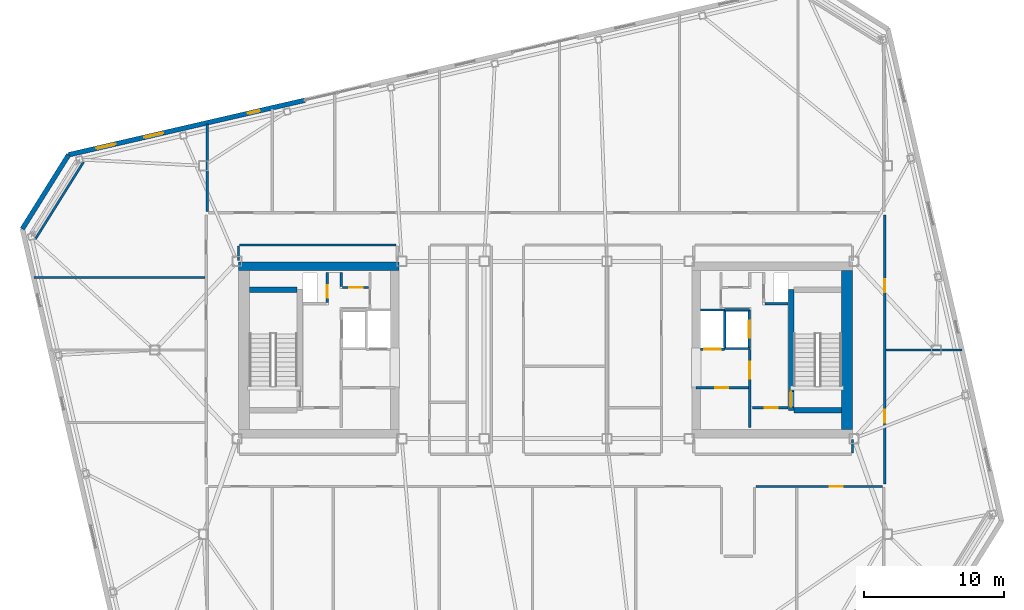
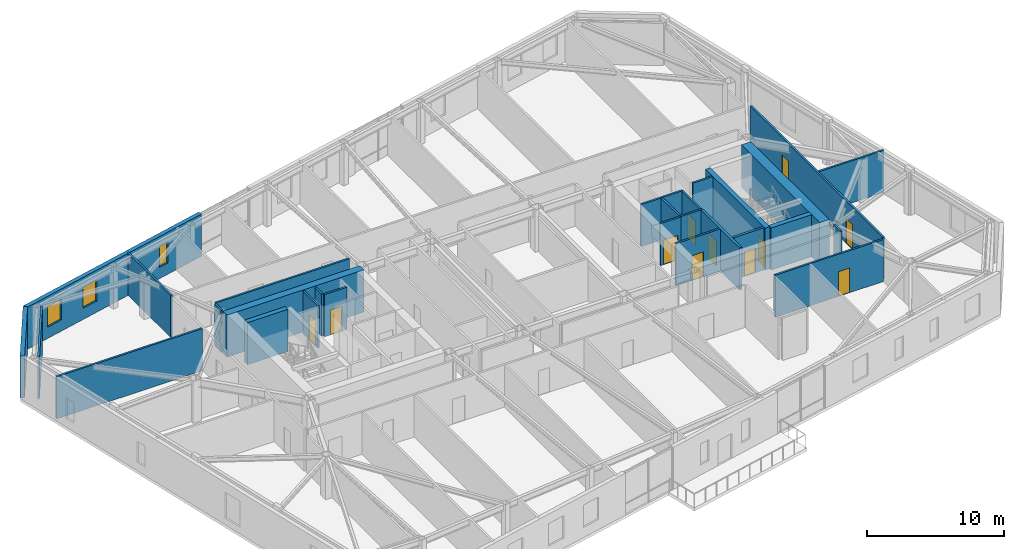
# One storey, part 18 of 24: 29 walls, 11 doors, 3 windows, 14 openings.
"""IFC4 building model written with IfcOpenShell, lengths in metres."""

import ifcopenshell
import ifcopenshell.guid

model = None  # the IFC model being written
_history = None  # IfcOwnerHistory: only IFC2X3 demands one
_inside = {}  # id of a spatial element -> (the spatial element, [elements in it])
_under = {}  # id of a project, library or spatial element -> (it, [spatial elements below it])
_declared = {}  # id of a project -> (the project, [libraries it declares])
_typed = {}  # id of a type object -> (the type object, [elements of that type])
_made_of = {}  # id of a material, layer set ... -> (it, [elements and type objects made of it])


def new_model(schema):
    """Start an empty IFC model of exactly this schema.

    Asked for "IFC4X3", IfcOpenShell would pick the latest addendum, in which some entities
    have other attributes; the version numbers below select the first issue.
    IFC2X3 requires an IfcOwnerHistory on every rooted entity: one is made here for all.
    """
    global model, _history
    if schema == "IFC4X3":
        model = ifcopenshell.file(schema_version=(4, 3, 0, 0))
    else:
        model = ifcopenshell.file(schema=schema)
    _inside.clear()
    _under.clear()
    _declared.clear()
    _typed.clear()
    _made_of.clear()
    _history = None
    if model.schema == "IFC2X3":
        org = make("IfcOrganization", Name="unknown")
        user = make(
            "IfcPersonAndOrganization",
            ThePerson=make("IfcPerson", FamilyName="unknown"),
            TheOrganization=org,
        )
        app = make(
            "IfcApplication",
            ApplicationDeveloper=org,
            Version="unknown",
            ApplicationFullName="unknown",
            ApplicationIdentifier="unknown",
        )
        _history = make(
            "IfcOwnerHistory",
            OwningUser=user,
            OwningApplication=app,
            ChangeAction="ADDED",
            CreationDate=0,
        )
    return model


def make(cls, **values):
    """One entity of the class cls with the attributes given. An attribute that is None is left unset."""
    return model.create_entity(
        cls, **{name: value for name, value in values.items() if value is not None}
    )


def rooted(cls, **values):
    """An entity with a GlobalId (a new one), such as an element, a storey or a relation."""
    return make(cls, GlobalId=ifcopenshell.guid.new(), OwnerHistory=_history, **values)


def si_unit(unit_type, name, prefix=None):
    """IfcSIUnit, for example si_unit("LENGTHUNIT", "METRE", prefix="MILLI")."""
    return make("IfcSIUnit", UnitType=unit_type, Prefix=prefix, Name=name)


def assignment(units):
    """IfcUnitAssignment: the units of a project."""
    return None if units is None else make("IfcUnitAssignment", Units=units)


def point(xyz):
    """IfcCartesianPoint."""
    return None if xyz is None else make("IfcCartesianPoint", Coordinates=xyz)


def direction(xyz):
    """IfcDirection."""
    return None if xyz is None else make("IfcDirection", DirectionRatios=xyz)


def frame(location, z_axis=None, x_axis=None):
    """IfcAxis2Placement3D, a coordinate frame: its origin and axes. An axis left out is left unset."""
    return make(
        "IfcAxis2Placement3D",
        Location=point(location),
        Axis=direction(z_axis),
        RefDirection=direction(x_axis),
    )


def frame_2d(location, x_axis=None):
    """IfcAxis2Placement2D, a coordinate frame in the plane: its origin and x axis."""
    return make(
        "IfcAxis2Placement2D", Location=point(location), RefDirection=direction(x_axis)
    )


def origin():
    """The frame at (0, 0, 0) with its axes left unset."""
    return frame((0.0, 0.0, 0.0))


def place(relative_to, where):
    """IfcLocalPlacement: puts the frame where relative to a parent placement (None: the world)."""
    return make(
        "IfcLocalPlacement", PlacementRelTo=relative_to, RelativePlacement=where
    )


def context(
    kind, dimensions, precision=None, world=None, true_north=None, identifier=None
):
    """IfcGeometricRepresentationContext, for example the 3D "Model" context."""
    return make(
        "IfcGeometricRepresentationContext",
        ContextIdentifier=identifier,
        ContextType=kind,
        CoordinateSpaceDimension=dimensions,
        Precision=precision,
        WorldCoordinateSystem=world,
        TrueNorth=true_north,
    )


def subcontext(parent, identifier, kind, view, scale=None):
    """IfcGeometricRepresentationSubContext, for example "Body" below "Model"."""
    return make(
        "IfcGeometricRepresentationSubContext",
        ContextIdentifier=identifier,
        ContextType=kind,
        ParentContext=parent,
        TargetScale=scale,
        TargetView=view,
    )


def project(units=None, contexts=None):
    """IfcProject with its units and contexts."""
    return rooted(
        "IfcProject",
        Name="project",
        RepresentationContexts=contexts,
        UnitsInContext=assignment(units),
    )


def spatial(cls, under=None, at=None, **own):
    """A site, building, storey or space (cls), placed at a placement, below another one or the project."""
    s = rooted(cls, ObjectPlacement=at, **own)
    if under is not None:
        _under.setdefault(under.id(), (under, []))[1].append(s)
    return s


def profile(cls, at=None, kind="AREA", **sizes):
    """A parametric profile (cls). Its sizes go by their IFC names, for example OverallWidth=200.0."""
    return make(cls, ProfileType=kind, Position=at, **sizes)


def rectangle(**sizes):
    """IfcRectangleProfileDef."""
    return profile("IfcRectangleProfileDef", **sizes)


def extrude(swept, where, along, depth):
    """IfcExtrudedAreaSolid: the profile swept, set in the frame where, extruded along a direction by depth."""
    return make(
        "IfcExtrudedAreaSolid",
        SweptArea=swept,
        Position=where,
        ExtrudedDirection=direction(along),
        Depth=depth,
    )


def shape(context_of_items, identifier, shape_type, items):
    """IfcShapeRepresentation: the items that make up one representation, for example the "Body"."""
    return make(
        "IfcShapeRepresentation",
        ContextOfItems=context_of_items,
        RepresentationIdentifier=identifier,
        RepresentationType=shape_type,
        Items=items,
    )


def material(Name=None, Category=None):
    """IfcMaterial."""
    return make("IfcMaterial", Name=Name, Category=Category)


def layer(
    of_material, thickness, ventilated=None, Name=None, Category=None, Priority=None
):
    """IfcMaterialLayer: one layer of a wall or slab, of a material (None: an air gap)."""
    return make(
        "IfcMaterialLayer",
        Material=of_material,
        LayerThickness=thickness,
        IsVentilated=ventilated,
        Name=Name,
        Category=Category,
        Priority=Priority,
    )


def layer_set(layers, Name=None):
    """IfcMaterialLayerSet."""
    return make("IfcMaterialLayerSet", MaterialLayers=layers, LayerSetName=Name)


def made_of(thing, what):
    """Note that an element or type object is made of a material, layer set ...; save() writes the relation."""
    if what is not None:
        _made_of.setdefault(what.id(), (what, []))[1].append(thing)
    return thing


def type_object(cls, material=None, **own):
    """A type object (cls), such as IfcWallType, which elements share."""
    return made_of(rooted(cls, **own), material)


def element(
    cls,
    number,
    at=None,
    inside=None,
    cuts=None,
    type_object=None,
    material=None,
    context=None,
    identifier="Body",
    shape_type=None,
    held_by="IfcProductDefinitionShape",
    body=None,
    shapes=None,
    **own,
):
    """One element of the class cls, such as IfcWall. Its Tag is "e" and its number.

    at: its placement. inside: the storey or other place that contains it. cuts: it is an
    opening in that element (IfcRelVoidsElement). A single representation is given by context,
    identifier, shape_type and body (its items); several are given by shapes. held_by: the class
    of the entity that holds the representations. save() writes the other relations.
    """
    e = rooted(cls, Tag="e%d" % number, ObjectPlacement=at, **own)
    if body is not None:
        shapes = [shape(context, identifier, shape_type, body)]
    if shapes is not None:
        e.Representation = make(held_by, Representations=shapes)
    if inside is not None:
        _inside.setdefault(inside.id(), (inside, []))[1].append(e)
    if cuts is not None:
        rooted(
            "IfcRelVoidsElement", RelatingBuildingElement=cuts, RelatedOpeningElement=e
        )
    if type_object is not None:
        _typed.setdefault(type_object.id(), (type_object, []))[1].append(e)
    return made_of(e, material)


def fill(opening, filler):
    """IfcRelFillsElement: the door or window that sits in an opening."""
    return rooted(
        "IfcRelFillsElement",
        RelatingOpeningElement=opening,
        RelatedBuildingElement=filler,
    )


def aggregate(whole, parts):
    """IfcRelAggregates: a whole, such as a stair, and the parts it consists of."""
    return rooted("IfcRelAggregates", RelatingObject=whole, RelatedObjects=parts)


def save(model, path):
    """Write the relations noted so far, then the file.

    IfcRelAggregates (storeys below a building ...), IfcRelContainedInSpatialStructure (elements
    in a storey), IfcRelDefinesByType, IfcRelAssociatesMaterial and IfcRelDeclares: one each for
    every whole, place, type object, material and project.
    """
    for whole, parts in _under.values():
        aggregate(whole, parts)
    for where, things in _inside.values():
        rooted(
            "IfcRelContainedInSpatialStructure",
            RelatedElements=things,
            RelatingStructure=where,
        )
    for kind, things in _typed.values():
        rooted("IfcRelDefinesByType", RelatedObjects=things, RelatingType=kind)
    for what, things in _made_of.values():
        rooted("IfcRelAssociatesMaterial", RelatedObjects=things, RelatingMaterial=what)
    for by, libraries in _declared.values():
        rooted("IfcRelDeclares", RelatingContext=by, RelatedDefinitions=libraries)
    model.write(path)


model = new_model("IFC4")

# Units and contexts
model_context = context("Model", 3, precision=1e-05, world=origin(), true_north=direction((0.0, 1.0)))
body_context = subcontext(model_context, "Body", "Model", "MODEL_VIEW")
ifc_project = project(units=[si_unit("LENGTHUNIT", "METRE"), si_unit("AREAUNIT", "SQUARE_METRE"), si_unit("VOLUMEUNIT", "CUBIC_METRE"), si_unit("PLANEANGLEUNIT", "RADIAN"), si_unit("MASSUNIT", "GRAM", prefix="KILO")], contexts=[model_context])

# Site, building, storey
site_placement = place(None, origin())
site = spatial("IfcSite", under=ifc_project, at=site_placement, CompositionType="ELEMENT")
building_placement = place(site_placement, origin())
building = spatial("IfcBuilding", under=site, at=building_placement, Name="Tavrogorsk Clinical Tower", CompositionType="ELEMENT")
storey_placement = place(building_placement, frame((0.0, 0.0, 325.0)))
storey = spatial("IfcBuildingStorey", under=building, at=storey_placement, Name="L76", CompositionType="ELEMENT", Elevation=325.0)

# Wall, opening, door
ifc_material_1 = material(Name="Concrete B60", Category="concrete")
ifc_layer_1 = layer(ifc_material_1, 0.199951171875)
ifc_layer_set_1 = layer_set([ifc_layer_1], Name="Concrete B60")
wall_type_1 = type_object("IfcWallType", Name="CoreFireWall_200", PredefinedType="SOLIDWALL", material=ifc_layer_set_1)
wall_1_placement = place(storey_placement, frame((14.824951171875, -4.139892578125, 0.0), z_axis=(0.0, 0.0, 1.0), x_axis=(1.0, 0.0, 0.0)))
wall_1 = element("IfcWall", 1, at=wall_1_placement, inside=storey, type_object=wall_type_1, Name="L76 Core East South Core Room Fire Wall", PredefinedType="SOLIDWALL", context=body_context, shape_type="SweptSolid", body=[
    extrude(rectangle(XDim=2.554931640625, YDim=0.199951171875, at=frame_2d((1.27734375, 0.0))), origin(), (0.0, 0.0, 1.0), 3.739990234375),
])
opening_1_placement = place(wall_1_placement, frame((0.8798828125, 0.0, 0.0)))
opening_1 = element("IfcOpeningElement", 2, at=opening_1_placement, cuts=wall_1, Name="Opening ID-02", PredefinedType="OPENING", context=body_context, shape_type="SweptSolid", body=[
    extrude(rectangle(XDim=0.949951171875, YDim=2.199951171875, at=frame_2d((0.47509765625, 1.10009765625))), frame((0.0, 0.10986328125, 0.0), z_axis=(0.0, -1.0, 0.0), x_axis=(1.0, 0.0, 0.0)), (0.0, 0.0, 1.0), 0.219970703125),
])
ifc_material_2 = material(Name="Laminated timber leaf on aluminium frame", Category="wood")
door_type_1 = type_object("IfcDoorType", Name="InteriorDoor_ID02_950", OperationType="NOTDEFINED", PredefinedType="DOOR", material=ifc_material_2)
door_1_placement = place(opening_1_placement, origin())
door_1 = element("IfcDoor", 3, at=door_1_placement, inside=storey, type_object=door_type_1, Name="L76 Core East South Core Room Door", OperationType="SINGLE_SWING_RIGHT", OverallHeight=2.199951171875, OverallWidth=0.949951171875, PredefinedType="DOOR", context=body_context, shape_type="SweptSolid", body=[
    extrude(rectangle(XDim=0.949951171875, YDim=2.199951171875, at=frame_2d((0.47509765625, 1.10009765625))), frame((0.0, 0.02490234375, 0.0), z_axis=(0.0, -1.0, 0.0), x_axis=(1.0, 0.0, 0.0)), (0.0, 0.0, 1.0), 0.050048828125),
])
fill(opening_1, door_1)

wall_2_placement = place(storey_placement, frame((14.639892578125, -5.56005859375, 0.0), z_axis=(0.0, 0.0, 1.0), x_axis=(0.0, 1.0, 0.0)))
wall_2 = element("IfcWall", 4, at=wall_2_placement, inside=storey, type_object=wall_type_1, Name="L76 Core East Firefighting Lobby Fire Wall", PredefinedType="SOLIDWALL", context=body_context, shape_type="SweptSolid", body=[
    extrude(rectangle(XDim=5.60009765625, YDim=0.199951171875, at=frame_2d((2.800048828125, 0.0))), origin(), (0.0, 0.0, 1.0), 3.739990234375),
])
opening_2_placement = place(wall_2_placement, frame((3.510009765625, 0.0, 0.0)))
opening_2 = element("IfcOpeningElement", 5, at=opening_2_placement, cuts=wall_2, Name="Opening FD-01", PredefinedType="OPENING", context=body_context, shape_type="SweptSolid", body=[
    extrude(rectangle(XDim=1.199951171875, YDim=2.199951171875, at=frame_2d((0.60009765625, 1.10009765625))), frame((0.0, 0.10986328125, 0.0), z_axis=(0.0, -1.0, 0.0), x_axis=(1.0, 0.0, 0.0)), (0.0, 0.0, 1.0), 0.219970703125),
])
ifc_material_3 = material(Name="Galvanised steel fire-rated door assembly", Category="steel")
door_type_2 = type_object("IfcDoorType", Name="FireDoor_FD01_1200", OperationType="NOTDEFINED", PredefinedType="DOOR", material=ifc_material_3)
door_2_placement = place(opening_2_placement, origin())
door_2 = element("IfcDoor", 6, at=door_2_placement, inside=storey, type_object=door_type_2, Name="L76 Core East Firefighting Lobby Entry Door", OperationType="SINGLE_SWING_RIGHT", OverallHeight=2.199951171875, OverallWidth=1.199951171875, PredefinedType="DOOR", context=body_context, shape_type="SweptSolid", body=[
    extrude(rectangle(XDim=1.199951171875, YDim=2.199951171875, at=frame_2d((0.60009765625, 1.10009765625))), frame((0.0, 0.02490234375, 0.0), z_axis=(0.0, -1.0, 0.0), x_axis=(1.0, 0.0, 0.0)), (0.0, 0.0, 1.0), 0.050048828125),
])
fill(opening_2, door_2)

ifc_material_4 = material(Name="Lightweight concrete blockwork B15", Category="masonry")
ifc_layer_2 = layer(ifc_material_4, 0.159912109375)
ifc_layer_set_2 = layer_set([ifc_layer_2], Name="Lightweight concrete blockwork B15")
wall_type_2 = type_object("IfcWallType", Name="PartitionWall_160", PredefinedType="PARTITIONING", material=ifc_layer_set_2)
wall_3_placement = place(storey_placement, frame((-14.554931640625, 4.47998046875, 0.0), z_axis=(0.0, 0.0, 1.0), x_axis=(1.0, 0.0, 0.0)))
wall_3 = element("IfcWall", 7, at=wall_3_placement, inside=storey, type_object=wall_type_2, Name="L76 Core West Housekeeping South Wall", PredefinedType="PARTITIONING", context=body_context, shape_type="SweptSolid", body=[
    extrude(rectangle(XDim=1.889892578125, YDim=0.159912109375, at=frame_2d((0.94482421875, 0.0))), origin(), (0.0, 0.0, 1.0), 3.739990234375),
])
opening_3_placement = place(wall_3_placement, frame((0.5, 0.0, 0.0)))
opening_3 = element("IfcOpeningElement", 8, at=opening_3_placement, cuts=wall_3, Name="Opening ID-02", PredefinedType="OPENING", context=body_context, shape_type="SweptSolid", body=[
    extrude(rectangle(XDim=0.949951171875, YDim=2.199951171875, at=frame_2d((0.47509765625, 1.10009765625))), frame((0.0, 0.08984375, 0.0), z_axis=(0.0, -1.0, 0.0), x_axis=(1.0, 0.0, 0.0)), (0.0, 0.0, 1.0), 0.179931640625),
])
door_3_placement = place(opening_3_placement, origin())
door_3 = element("IfcDoor", 9, at=door_3_placement, inside=storey, type_object=door_type_1, Name="L76 Core West Housekeeping Closet Door", OperationType="SINGLE_SWING_LEFT", OverallHeight=2.199951171875, OverallWidth=0.949951171875, PredefinedType="DOOR", context=body_context, shape_type="SweptSolid", body=[
    extrude(rectangle(XDim=0.949951171875, YDim=2.199951171875, at=frame_2d((0.47509765625, 1.10009765625))), frame((0.0, 0.02490234375, 0.0), z_axis=(0.0, -1.0, 0.0), x_axis=(1.0, 0.0, 0.0)), (0.0, 0.0, 1.0), 0.050048828125),
])
fill(opening_3, door_3)

# Wall
wall_4_placement = place(storey_placement, frame((-14.639892578125, 4.56494140625, 0.0), z_axis=(0.0, 0.0, 1.0), x_axis=(0.0, 1.0, 0.0)))
element("IfcWall", 10, at=wall_4_placement, inside=storey, type_object=wall_type_2, Name="L76 Core West Housekeeping East Wall", PredefinedType="PARTITIONING", context=body_context, shape_type="SweptSolid", body=[
    extrude(rectangle(XDim=0.9951171875, YDim=0.159912109375, at=frame_2d((0.49755859375, 0.0))), origin(), (0.0, 0.0, 1.0), 3.739990234375),
])

# Wall, opening, door
wall_5_placement = place(storey_placement, frame((10.800048828125, -2.699951171875, 0.0), z_axis=(0.0, 0.0, 1.0), x_axis=(1.0, 0.0, 0.0)))
wall_5 = element("IfcWall", 11, at=wall_5_placement, inside=storey, type_object=wall_type_2, Name="L76 Core East Freed Mid-Bank North Partition", PredefinedType="PARTITIONING", context=body_context, shape_type="SweptSolid", body=[
    extrude(rectangle(XDim=3.73486328125, YDim=0.159912109375, at=frame_2d((1.867431640625, 0.0))), origin(), (0.0, 0.0, 1.0), 3.739990234375),
])
opening_4_placement = place(wall_5_placement, frame((1.35009765625, 0.0, 0.0)))
opening_4 = element("IfcOpeningElement", 12, at=opening_4_placement, cuts=wall_5, Name="Opening ID-02", PredefinedType="OPENING", context=body_context, shape_type="SweptSolid", body=[
    extrude(rectangle(XDim=0.949951171875, YDim=2.199951171875, at=frame_2d((0.47509765625, 1.10009765625))), frame((0.0, 0.08984375, 0.0), z_axis=(0.0, -1.0, 0.0), x_axis=(1.0, 0.0, 0.0)), (0.0, 0.0, 1.0), 0.179931640625),
])
door_4_placement = place(opening_4_placement, origin())
door_4 = element("IfcDoor", 13, at=door_4_placement, inside=storey, type_object=door_type_1, Name="L76 Core East Pharmacy Prep Door", OperationType="SINGLE_SWING_LEFT", OverallHeight=2.199951171875, OverallWidth=0.949951171875, PredefinedType="DOOR", context=body_context, shape_type="SweptSolid", body=[
    extrude(rectangle(XDim=0.949951171875, YDim=2.199951171875, at=frame_2d((0.47509765625, 1.10009765625))), frame((0.0, 0.02490234375, 0.0), z_axis=(0.0, -1.0, 0.0), x_axis=(1.0, 0.0, 0.0)), (0.0, 0.0, 1.0), 0.050048828125),
])
fill(opening_4, door_4)

# Wall
wall_6_placement = place(storey_placement, frame((-33.10009765625, 13.464599609375, 0.0), z_axis=(0.0, 0.0, 1.0), x_axis=(-0.529958457806, -0.848023604035, 0.0)))
element("IfcWall", 14, at=wall_6_placement, inside=storey, type_object=wall_type_2, Name="L76 Corner Exoskeleton Brace Furring Wall 3", PredefinedType="PARTITIONING", context=body_context, shape_type="SweptSolid", body=[
    extrude(rectangle(XDim=6.505126953125, YDim=0.159912109375, at=frame_2d((3.25244140625, 0.0))), origin(), (0.0, 0.0, 1.0), 3.739990234375),
])

# Wall, openings, doors
wall_7_placement = place(storey_placement, frame((24.31005859375, 9.6650390625, 0.0), z_axis=(0.0, 0.0, 1.0), x_axis=(0.0, -1.0, 0.0)))
wall_7 = element("IfcWall", 15, at=wall_7_placement, inside=storey, type_object=wall_type_2, Name="L76 Corridor Partition 03", PredefinedType="PARTITIONING", context=body_context, shape_type="SweptSolid", body=[
    extrude(rectangle(XDim=19.280029296875, YDim=0.159912109375, at=frame_2d((9.64013671875, 0.0))), origin(), (0.0, 0.0, 1.0), 3.739990234375),
])
opening_5_placement = place(wall_7_placement, frame((13.930908203125, 0.0, 0.0)))
opening_5 = element("IfcOpeningElement", 16, at=opening_5_placement, cuts=wall_7, Name="Opening ID-02", PredefinedType="OPENING", context=body_context, shape_type="SweptSolid", body=[
    extrude(rectangle(XDim=0.949951171875, YDim=2.199951171875, at=frame_2d((0.47509765625, 1.10009765625))), frame((0.0, 0.08984375, 0.0), z_axis=(0.0, -1.0, 0.0), x_axis=(1.0, 0.0, 0.0)), (0.0, 0.0, 1.0), 0.179931640625),
])
opening_6_placement = place(wall_7_placement, frame((4.593994140625, 0.0, 0.0)))
opening_6 = element("IfcOpeningElement", 17, at=opening_6_placement, cuts=wall_7, Name="Opening ID-02", PredefinedType="OPENING", context=body_context, shape_type="SweptSolid", body=[
    extrude(rectangle(XDim=0.949951171875, YDim=2.199951171875, at=frame_2d((0.47509765625, 1.10009765625))), frame((0.0, 0.08984375, 0.0), z_axis=(0.0, -1.0, 0.0), x_axis=(1.0, 0.0, 0.0)), (0.0, 0.0, 1.0), 0.179931640625),
])
door_5_placement = place(opening_5_placement, origin())
door_5 = element("IfcDoor", 18, at=door_5_placement, inside=storey, type_object=door_type_1, Name="L76 E Senior Clinician Suite 1 Door", OperationType="SINGLE_SWING_LEFT", OverallHeight=2.199951171875, OverallWidth=0.949951171875, PredefinedType="DOOR", context=body_context, shape_type="SweptSolid", body=[
    extrude(rectangle(XDim=0.949951171875, YDim=2.199951171875, at=frame_2d((0.47509765625, 1.10009765625))), frame((0.0, 0.02490234375, 0.0), z_axis=(0.0, -1.0, 0.0), x_axis=(1.0, 0.0, 0.0)), (0.0, 0.0, 1.0), 0.050048828125),
])
fill(opening_5, door_5)
door_6_placement = place(opening_6_placement, origin())
door_6 = element("IfcDoor", 19, at=door_6_placement, inside=storey, type_object=door_type_1, Name="L76 E Multidisciplinary Seminar Suite 2 Door", OperationType="SINGLE_SWING_RIGHT", OverallHeight=2.199951171875, OverallWidth=0.949951171875, PredefinedType="DOOR", context=body_context, shape_type="SweptSolid", body=[
    extrude(rectangle(XDim=0.949951171875, YDim=2.199951171875, at=frame_2d((0.47509765625, 1.10009765625))), frame((0.0, 0.02490234375, 0.0), z_axis=(0.0, -1.0, 0.0), x_axis=(1.0, 0.0, 0.0)), (0.0, 0.0, 1.0), 0.050048828125),
])
fill(opening_6, door_6)

# Wall, opening, door
wall_8_placement = place(storey_placement, frame((24.14501953125, -9.780029296875, 0.0), z_axis=(0.0, 0.0, 1.0), x_axis=(-1.0, 0.0, 0.0)))
wall_8 = element("IfcWall", 20, at=wall_8_placement, inside=storey, type_object=wall_type_2, Name="L76 Corridor Partition 04", PredefinedType="PARTITIONING", context=body_context, shape_type="SweptSolid", body=[
    extrude(rectangle(XDim=9.080078125, YDim=0.159912109375, at=frame_2d((4.5400390625, 0.0))), origin(), (0.0, 0.0, 1.0), 3.739990234375),
])
opening_7_placement = place(wall_8_placement, frame((2.833984375, 0.0, 0.0)))
opening_7 = element("IfcOpeningElement", 21, at=opening_7_placement, cuts=wall_8, Name="Opening ID-02", PredefinedType="OPENING", context=body_context, shape_type="SweptSolid", body=[
    extrude(rectangle(XDim=0.949951171875, YDim=2.199951171875, at=frame_2d((0.47509765625, 1.10009765625))), frame((0.0, 0.08984375, 0.0), z_axis=(0.0, -1.0, 0.0), x_axis=(1.0, 0.0, 0.0)), (0.0, 0.0, 1.0), 0.179931640625),
])
door_7_placement = place(opening_7_placement, origin())
door_7 = element("IfcDoor", 22, at=door_7_placement, inside=storey, type_object=door_type_1, Name="L76 South Soiled Utility & Sluice Room 06 Door", OperationType="SINGLE_SWING_RIGHT", OverallHeight=2.199951171875, OverallWidth=0.949951171875, PredefinedType="DOOR", context=body_context, shape_type="SweptSolid", body=[
    extrude(rectangle(XDim=0.949951171875, YDim=2.199951171875, at=frame_2d((0.47509765625, 1.10009765625))), frame((0.0, 0.02490234375, 0.0), z_axis=(0.0, -1.0, 0.0), x_axis=(1.0, 0.0, 0.0)), (0.0, 0.0, 1.0), 0.050048828125),
])
fill(opening_7, door_7)

# Walls
wall_9_placement = place(storey_placement, frame((22.0, -7.385009765625, 0.0), z_axis=(0.0, 0.0, 1.0), x_axis=(0.0, 1.0, 0.0)))
element("IfcWall", 23, at=wall_9_placement, inside=storey, type_object=wall_type_2, Name="L76 Corridor Partition 13", PredefinedType="PARTITIONING", context=body_context, shape_type="SweptSolid", body=[
    extrude(rectangle(XDim=0.965087890625, YDim=0.159912109375, at=frame_2d((0.482421875, 0.0))), origin(), (0.0, 0.0, 1.0), 3.739990234375),
])
wall_10_placement = place(storey_placement, frame((-10.715087890625, 7.52001953125, 0.0), z_axis=(0.0, 0.0, 1.0), x_axis=(-1.0, 0.0, 0.0)))
element("IfcWall", 24, at=wall_10_placement, inside=storey, type_object=wall_type_2, Name="L76 Corridor Partition 25", PredefinedType="PARTITIONING", context=body_context, shape_type="SweptSolid", body=[
    extrude(rectangle(XDim=11.199951171875, YDim=0.159912109375, at=frame_2d((5.60009765625, 0.0))), origin(), (0.0, 0.0, 1.0), 3.739990234375),
])
wall_11_placement = place(storey_placement, frame((-22.0, 7.43505859375, 0.0), z_axis=(0.0, 0.0, 1.0), x_axis=(0.0, -1.0, 0.0)))
element("IfcWall", 25, at=wall_11_placement, inside=storey, type_object=wall_type_2, Name="L76 Corridor Partition 26", PredefinedType="PARTITIONING", context=body_context, shape_type="SweptSolid", body=[
    extrude(rectangle(XDim=1.01513671875, YDim=0.159912109375, at=frame_2d((0.507568359375, 0.0))), origin(), (0.0, 0.0, 1.0), 3.739990234375),
])
wall_12_placement = place(storey_placement, frame((-24.22998046875, 9.9150390625, 0.0), z_axis=(0.0, 0.0, 1.0), x_axis=(0.0, 1.0, 0.0)))
element("IfcWall", 26, at=wall_12_placement, inside=storey, type_object=wall_type_2, Name="L76 NW Wing Closure Partition", PredefinedType="PARTITIONING", context=body_context, shape_type="SweptSolid", body=[
    extrude(rectangle(XDim=6.2958984375, YDim=0.159912109375, at=frame_2d((3.14794921875, 0.0))), origin(), (0.0, 0.0, 1.0), 3.739990234375),
])
wall_13_placement = place(storey_placement, frame((-36.662841796875, 5.199951171875, 0.0), z_axis=(0.0, 0.0, 1.0), x_axis=(1.0, 0.0, 0.0)))
element("IfcWall", 27, at=wall_13_placement, inside=storey, type_object=wall_type_2, Name="L76 W Wing Divider 3", PredefinedType="PARTITIONING", context=body_context, shape_type="SweptSolid", body=[
    extrude(rectangle(XDim=12.267822265625, YDim=0.159912109375, at=frame_2d((6.1337890625, 0.0))), origin(), (0.0, 0.0, 1.0), 3.739990234375),
])
wall_14_placement = place(storey_placement, frame((24.39501953125, 0.0, 0.0), z_axis=(0.0, 0.0, 1.0), x_axis=(1.0, 0.0, 0.0)))
element("IfcWall", 28, at=wall_14_placement, inside=storey, type_object=wall_type_2, Name="L76 E Wing Divider 1", PredefinedType="PARTITIONING", context=body_context, shape_type="SweptSolid", body=[
    extrude(rectangle(XDim=5.436279296875, YDim=0.159912109375, at=frame_2d((2.71826171875, 0.0))), origin(), (0.0, 0.0, 1.0), 3.739990234375),
])

# Wall, openings, windows
ifc_material_5 = material(Name="Precast concrete B45 with limestone cladding", Category="masonry")
ifc_layer_3 = layer(ifc_material_5, 0.340087890625)
ifc_layer_set_3 = layer_set([ifc_layer_3], Name="Precast concrete B45 with limestone cladding")
wall_type_3 = type_object("IfcWallType", Name="PrecastLimestoneWall_340", PredefinedType="STANDARD", material=ifc_layer_set_3)
wall_15_placement = place(storey_placement, frame((-17.2451171875, 17.895263671875, 0.0), z_axis=(0.0, 0.0, 1.0), x_axis=(-0.97437318493, -0.224937539085, 0.0)))
wall_15 = element("IfcWall", 29, at=wall_15_placement, inside=storey, type_object=wall_type_3, Name="L76 N Limestone Facade Wall 3", PredefinedType="STANDARD", context=body_context, shape_type="SweptSolid", body=[
    extrude(rectangle(XDim=17.365966796875, YDim=0.340087890625, at=frame_2d((8.68310546875, 0.0))), origin(), (0.0, 0.0, 1.0), 3.739990234375),
])
opening_8_placement = place(wall_15_placement, frame((13.924560546875, 0.0, 1.0)))
opening_8 = element("IfcOpeningElement", 30, at=opening_8_placement, cuts=wall_15, Name="Opening WN-17", PredefinedType="OPENING", context=body_context, shape_type="SweptSolid", body=[
    extrude(rectangle(XDim=1.39990234375, YDim=1.85009765625, at=frame_2d((0.699951171875, 0.925048828125))), frame((0.0, 0.179931640625, 0.0), z_axis=(0.0, -1.0, 0.0), x_axis=(1.0, 0.0, 0.0)), (0.0, 0.0, 1.0), 0.360107421875),
])
opening_9_placement = place(wall_15_placement, frame((10.412841796875, 0.0, 1.0)))
opening_9 = element("IfcOpeningElement", 31, at=opening_9_placement, cuts=wall_15, Name="Opening WN-17", PredefinedType="OPENING", context=body_context, shape_type="SweptSolid", body=[
    extrude(rectangle(XDim=1.39990234375, YDim=1.85009765625, at=frame_2d((0.699951171875, 0.925048828125))), frame((0.0, 0.179931640625, 0.0), z_axis=(0.0, -1.0, 0.0), x_axis=(1.0, 0.0, 0.0)), (0.0, 0.0, 1.0), 0.360107421875),
])
opening_10_placement = place(wall_15_placement, frame((3.32861328125, 0.0, 1.0)))
opening_10 = element("IfcOpeningElement", 32, at=opening_10_placement, cuts=wall_15, Name="Opening WN-06", PredefinedType="OPENING", context=body_context, shape_type="SweptSolid", body=[
    extrude(rectangle(XDim=0.85009765625, YDim=1.85009765625, at=frame_2d((0.425048828125, 0.925048828125))), frame((0.0, 0.179931640625, 0.0), z_axis=(0.0, -1.0, 0.0), x_axis=(1.0, 0.0, 0.0)), (0.0, 0.0, 1.0), 0.360107421875),
])
ifc_material_6 = material(Name="Thermally broken aluminium frame and triple IGU", Category="aluminium")
window_type_1 = type_object("IfcWindowType", Name="MullionSubWin_850x1850", PartitioningType="SINGLE_PANEL", PredefinedType="WINDOW", material=ifc_material_6)
window_1_placement = place(opening_10_placement, origin())
window_1 = element("IfcWindow", 33, at=window_1_placement, inside=storey, type_object=window_type_1, Name="L76 N Mullion Split Window 04B", OverallHeight=1.85009765625, OverallWidth=0.85009765625, PartitioningType="SINGLE_PANEL", PredefinedType="WINDOW", context=body_context, shape_type="SweptSolid", body=[
    extrude(rectangle(XDim=0.85009765625, YDim=1.85009765625, at=frame_2d((0.425048828125, 0.925048828125))), frame((0.0, 0.030029296875, 0.0), z_axis=(0.0, -1.0, 0.0), x_axis=(1.0, 0.0, 0.0)), (0.0, 0.0, 1.0), 0.06005859375),
])
fill(opening_10, window_1)
ifc_material_7 = material(Name="Thermally broken aluminium frame and triple IGU", Category="aluminium")
window_type_2 = type_object("IfcWindowType", Name="TelemetryWin_1400x1850", PartitioningType="SINGLE_PANEL", PredefinedType="WINDOW", material=ifc_material_7)
window_2_placement = place(opening_8_placement, origin())
window_2 = element("IfcWindow", 34, at=window_2_placement, inside=storey, type_object=window_type_2, Name="L76 N Chicago Window 01", OverallHeight=1.85009765625, OverallWidth=1.39990234375, PartitioningType="SINGLE_PANEL", PredefinedType="WINDOW", context=body_context, shape_type="SweptSolid", body=[
    extrude(rectangle(XDim=1.39990234375, YDim=1.85009765625, at=frame_2d((0.699951171875, 0.925048828125))), frame((0.0, 0.030029296875, 0.0), z_axis=(0.0, -1.0, 0.0), x_axis=(1.0, 0.0, 0.0)), (0.0, 0.0, 1.0), 0.06005859375),
])
fill(opening_8, window_2)
window_3_placement = place(opening_9_placement, origin())
window_3 = element("IfcWindow", 35, at=window_3_placement, inside=storey, type_object=window_type_2, Name="L76 N Chicago Window 02", OverallHeight=1.85009765625, OverallWidth=1.39990234375, PartitioningType="SINGLE_PANEL", PredefinedType="WINDOW", context=body_context, shape_type="SweptSolid", body=[
    extrude(rectangle(XDim=1.39990234375, YDim=1.85009765625, at=frame_2d((0.699951171875, 0.925048828125))), frame((0.0, 0.030029296875, 0.0), z_axis=(0.0, -1.0, 0.0), x_axis=(1.0, 0.0, 0.0)), (0.0, 0.0, 1.0), 0.06005859375),
])
fill(opening_9, window_3)

# Wall
wall_16_placement = place(storey_placement, frame((-34.165771484375, 13.989013671875, 0.0), z_axis=(0.0, 0.0, 1.0), x_axis=(-0.529935887993, -0.848037708252, 0.0)))
element("IfcWall", 36, at=wall_16_placement, inside=storey, type_object=wall_type_3, Name="L76 Chamfered Corner Wall 3", PredefinedType="STANDARD", context=body_context, shape_type="SweptSolid", body=[
    extrude(rectangle(XDim=6.26513671875, YDim=0.340087890625, at=frame_2d((3.132568359375, 0.0))), origin(), (0.0, 0.0, 1.0), 3.739990234375),
])

# Wall, opening, door
ifc_material_8 = material(Name="Lightweight concrete blockwork B25", Category="masonry")
ifc_layer_4 = layer(ifc_material_8, 0.159912109375)
ifc_layer_set_4 = layer_set([ifc_layer_4], Name="Lightweight concrete blockwork B25")
wall_type_4 = type_object("IfcWallType", Name="ShaftWall_160", PredefinedType="PARTITIONING", material=ifc_layer_set_4)
wall_17_placement = place(storey_placement, frame((14.60009765625, 0.1201171875, 0.0), z_axis=(0.0, 0.0, 1.0), x_axis=(0.0, 1.0, 0.0)))
wall_17 = element("IfcWall", 37, at=wall_17_placement, inside=storey, type_object=wall_type_4, Name="L76 FFL-E Firefighting Lift Front Wall", PredefinedType="PARTITIONING", context=body_context, shape_type="SweptSolid", body=[
    extrude(rectangle(XDim=2.739990234375, YDim=0.159912109375, at=frame_2d((1.3701171875, 0.0))), origin(), (0.0, 0.0, 1.0), 3.739990234375),
])
opening_11_placement = place(wall_17_placement, frame((0.77001953125, 0.0, 0.0)))
opening_11 = element("IfcOpeningElement", 38, at=opening_11_placement, cuts=wall_17, Name="Opening LD", PredefinedType="OPENING", context=body_context, shape_type="SweptSolid", body=[
    extrude(rectangle(XDim=1.199951171875, YDim=2.199951171875, at=frame_2d((0.60009765625, 1.10009765625))), frame((0.0, 0.08984375, 0.0), z_axis=(0.0, -1.0, 0.0), x_axis=(1.0, 0.0, 0.0)), (0.0, 0.0, 1.0), 0.179931640625),
])
ifc_material_9 = material(Name="Brushed stainless steel AISI 304 sliding doors", Category="steel")
door_type_3 = type_object("IfcDoorType", Name="LiftLandingDoor_LD_1200", OperationType="SLIDING_TO_LEFT", PredefinedType="DOOR", material=ifc_material_9)
door_8_placement = place(opening_11_placement, origin())
door_8 = element("IfcDoor", 39, at=door_8_placement, inside=storey, type_object=door_type_3, Name="L76 FFL-E Sliding Lift Landing Door", OperationType="SLIDING_TO_LEFT", OverallHeight=2.199951171875, OverallWidth=1.199951171875, PredefinedType="DOOR", context=body_context, shape_type="SweptSolid", body=[
    extrude(rectangle(XDim=1.199951171875, YDim=2.199951171875, at=frame_2d((0.60009765625, 1.10009765625))), frame((0.0, 0.02490234375, 0.0), z_axis=(0.0, -1.0, 0.0), x_axis=(1.0, 0.0, 0.0)), (0.0, 0.0, 1.0), 0.050048828125),
])
fill(opening_11, door_8)

# Walls
for number, where, z_axis, x_axis, name in (
    (40, (12.840087890625, 0.10009765625, 0.0), (0.0, 0.0, 1.0), (1.0, 0.0, 0.0), "L76 FFL-E Shaft South Wall"),
    (41, (12.840087890625, 2.8798828125, 0.0), (0.0, 0.0, 1.0), (1.0, 0.0, 0.0), "L76 FFL-E Shaft North Wall"),
):
    element("IfcWall", number, at=place(storey_placement, frame(where, z_axis=z_axis, x_axis=x_axis)), inside=storey, type_object=wall_type_4, Name=name, PredefinedType="PARTITIONING", context=body_context, shape_type="SweptSolid", body=[
        extrude(rectangle(XDim=1.760009765625, YDim=0.159912109375, at=frame_2d((0.8798828125, 0.0))), origin(), (0.0, 0.0, 1.0), 3.739990234375),
    ])
wall_18_placement = place(storey_placement, frame((12.840087890625, 0.179931640625, 0.0), z_axis=(0.0, 0.0, 1.0), x_axis=(0.0, 1.0, 0.0)))
element("IfcWall", 42, at=wall_18_placement, inside=storey, type_object=wall_type_4, Name="L76 FFL-E Shaft Back Wall", PredefinedType="PARTITIONING", context=body_context, shape_type="SweptSolid", body=[
    extrude(rectangle(XDim=2.6201171875, YDim=0.159912109375, at=frame_2d((1.31005859375, 0.0))), origin(), (0.0, 0.0, 1.0), 3.739990234375),
])

# Wall, opening, door
wall_19_placement = place(storey_placement, frame((11.10009765625, 0.06005859375, 0.0), z_axis=(0.0, 0.0, 1.0), x_axis=(1.0, 0.0, 0.0)))
wall_19 = element("IfcWall", 43, at=wall_19_placement, inside=storey, type_object=wall_type_4, Name="L76 LP-H2 High-Zone Lift Portal Wall", PredefinedType="PARTITIONING", context=body_context, shape_type="SweptSolid", body=[
    extrude(rectangle(XDim=1.719970703125, YDim=0.159912109375, at=frame_2d((0.85986328125, 0.0))), origin(), (0.0, 0.0, 1.0), 3.739990234375),
])
opening_12_placement = place(wall_19_placement, frame((0.260009765625, 0.0, 0.0)))
opening_12 = element("IfcOpeningElement", 44, at=opening_12_placement, cuts=wall_19, Name="Opening LD", PredefinedType="OPENING", context=body_context, shape_type="SweptSolid", body=[
    extrude(rectangle(XDim=1.199951171875, YDim=2.199951171875, at=frame_2d((0.60009765625, 1.10009765625))), frame((0.0, 0.08984375, 0.0), z_axis=(0.0, -1.0, 0.0), x_axis=(1.0, 0.0, 0.0)), (0.0, 0.0, 1.0), 0.179931640625),
])
door_9_placement = place(opening_12_placement, origin())
door_9 = element("IfcDoor", 45, at=door_9_placement, inside=storey, type_object=door_type_3, Name="L76 LP-H2 Sliding Lift Landing Door", OperationType="SLIDING_TO_LEFT", OverallHeight=2.199951171875, OverallWidth=1.199951171875, PredefinedType="DOOR", context=body_context, shape_type="SweptSolid", body=[
    extrude(rectangle(XDim=1.199951171875, YDim=2.199951171875, at=frame_2d((0.60009765625, 1.10009765625))), frame((0.0, 0.02490234375, 0.0), z_axis=(0.0, -1.0, 0.0), x_axis=(1.0, 0.0, 0.0)), (0.0, 0.0, 1.0), 0.050048828125),
])
fill(opening_12, door_9)

# Wall
wall_20_placement = place(storey_placement, frame((11.10009765625, 2.860107421875, 0.0), z_axis=(0.0, 0.0, 1.0), x_axis=(1.0, 0.0, 0.0)))
element("IfcWall", 46, at=wall_20_placement, inside=storey, type_object=wall_type_4, Name="L76 LP-H2 High-Zone Lift Rear Wall", PredefinedType="PARTITIONING", context=body_context, shape_type="SweptSolid", body=[
    extrude(rectangle(XDim=1.719970703125, YDim=0.159912109375, at=frame_2d((0.85986328125, 0.0))), origin(), (0.0, 0.0, 1.0), 3.739990234375),
])

# Wall, opening, door
wall_21_placement = place(storey_placement, frame((-15.639892578125, 3.405029296875, 0.0), z_axis=(0.0, 0.0, 1.0), x_axis=(0.0, 1.0, 0.0)))
wall_21 = element("IfcWall", 47, at=wall_21_placement, inside=storey, type_object=wall_type_4, Name="L76 Core West Riser West Wall", PredefinedType="PARTITIONING", context=body_context, shape_type="SweptSolid", body=[
    extrude(rectangle(XDim=2.155029296875, YDim=0.159912109375, at=frame_2d((1.07763671875, 0.0))), origin(), (0.0, 0.0, 1.0), 3.739990234375),
])
opening_13_placement = place(wall_21_placement, frame((0.35009765625, 0.0, 0.0)))
opening_13 = element("IfcOpeningElement", 48, at=opening_13_placement, cuts=wall_21, Name="Opening FD-02", PredefinedType="OPENING", context=body_context, shape_type="SweptSolid", body=[
    extrude(rectangle(XDim=0.89990234375, YDim=2.199951171875, at=frame_2d((0.449951171875, 1.10009765625))), frame((0.0, 0.08984375, 0.0), z_axis=(0.0, -1.0, 0.0), x_axis=(1.0, 0.0, 0.0)), (0.0, 0.0, 1.0), 0.179931640625),
])
ifc_material_10 = material(Name="Galvanised steel fire-rated door assembly", Category="steel")
door_type_4 = type_object("IfcDoorType", Name="FireDoor_FD02_900", OperationType="NOTDEFINED", PredefinedType="DOOR", material=ifc_material_10)
door_10_placement = place(opening_13_placement, origin())
door_10 = element("IfcDoor", 49, at=door_10_placement, inside=storey, type_object=door_type_4, Name="L76 Core West Electrical Riser Access Door", OperationType="SINGLE_SWING_LEFT", OverallHeight=2.199951171875, OverallWidth=0.89990234375, PredefinedType="DOOR", context=body_context, shape_type="SweptSolid", body=[
    extrude(rectangle(XDim=0.89990234375, YDim=2.199951171875, at=frame_2d((0.449951171875, 1.10009765625))), frame((0.0, 0.02490234375, 0.0), z_axis=(0.0, -1.0, 0.0), x_axis=(1.0, 0.0, 0.0)), (0.0, 0.0, 1.0), 0.050048828125),
])
fill(opening_13, door_10)

# Walls
wall_22_placement = place(storey_placement, frame((15.72509765625, 3.320068359375, 0.0), z_axis=(0.0, 0.0, 1.0), x_axis=(1.0, 0.0, 0.0)))
element("IfcWall", 50, at=wall_22_placement, inside=storey, type_object=wall_type_4, Name="L76 Core East Riser South Wall", PredefinedType="PARTITIONING", context=body_context, shape_type="SweptSolid", body=[
    extrude(rectangle(XDim=1.65478515625, YDim=0.159912109375, at=frame_2d((0.827392578125, 0.0))), origin(), (0.0, 0.0, 1.0), 3.739990234375),
])
ifc_material_11 = material(Name="Concrete B80", Category="concrete")
ifc_layer_5 = layer(ifc_material_11, 0.39990234375)
ifc_layer_set_5 = layer_set([ifc_layer_5], Name="Concrete B80")
wall_type_5 = type_object("IfcWallType", Name="ShearWall_400", PredefinedType="SHEAR", material=ifc_layer_set_5)
wall_23_placement = place(storey_placement, frame((-21.199951171875, 4.324951171875, 0.0), z_axis=(0.0, 0.0, 1.0), x_axis=(1.0, 0.0, 0.0)))
element("IfcWall", 51, at=wall_23_placement, inside=storey, type_object=wall_type_5, Name="L76 Core West Stair Shaft North Shear Wall", PredefinedType="SHEAR", context=body_context, shape_type="SweptSolid", body=[
    extrude(rectangle(XDim=3.39990234375, YDim=0.39990234375, at=frame_2d((1.699951171875, 0.0))), origin(), (0.0, 0.0, 1.0), 3.739990234375),
])

# Wall, opening, door
wall_24_placement = place(storey_placement, frame((17.60009765625, -4.324951171875, 0.0), z_axis=(0.0, 0.0, 1.0), x_axis=(0.0, 1.0, 0.0)))
wall_24 = element("IfcWall", 52, at=wall_24_placement, inside=storey, type_object=wall_type_5, Name="L76 Core East Stair Shaft Inner Shear Wall", PredefinedType="SHEAR", context=body_context, shape_type="SweptSolid", body=[
    extrude(rectangle(XDim=8.64990234375, YDim=0.39990234375, at=frame_2d((4.324951171875, 0.0))), origin(), (0.0, 0.0, 1.0), 3.739990234375),
])
opening_14_placement = place(wall_24_placement, frame((0.25, 0.0, 0.0)))
opening_14 = element("IfcOpeningElement", 53, at=opening_14_placement, cuts=wall_24, Name="Opening SD-01", PredefinedType="OPENING", context=body_context, shape_type="SweptSolid", body=[
    extrude(rectangle(XDim=1.10009765625, YDim=2.199951171875, at=frame_2d((0.550048828125, 1.10009765625))), frame((0.0, 0.2099609375, 0.0), z_axis=(0.0, -1.0, 0.0), x_axis=(1.0, 0.0, 0.0)), (0.0, 0.0, 1.0), 0.419921875),
])
ifc_material_12 = material(Name="Galvanised steel smoke-tight fire door assembly", Category="steel")
door_type_5 = type_object("IfcDoorType", Name="StairFireDoor_SD01_1100", OperationType="NOTDEFINED", PredefinedType="DOOR", material=ifc_material_12)
door_11_placement = place(opening_14_placement, origin())
door_11 = element("IfcDoor", 54, at=door_11_placement, inside=storey, type_object=door_type_5, Name="L76 ST-E Exit Stair Door", OperationType="SINGLE_SWING_RIGHT", OverallHeight=2.199951171875, OverallWidth=1.10009765625, PredefinedType="DOOR", context=body_context, shape_type="SweptSolid", body=[
    extrude(rectangle(XDim=1.10009765625, YDim=2.199951171875, at=frame_2d((0.550048828125, 1.10009765625))), frame((0.0, 0.02490234375, 0.0), z_axis=(0.0, -1.0, 0.0), x_axis=(1.0, 0.0, 0.0)), (0.0, 0.0, 1.0), 0.050048828125),
])
fill(opening_14, door_11)

# Walls
wall_25_placement = place(storey_placement, frame((17.800048828125, -4.324951171875, 0.0), z_axis=(0.0, 0.0, 1.0), x_axis=(1.0, 0.0, 0.0)))
element("IfcWall", 55, at=wall_25_placement, inside=storey, type_object=wall_type_5, Name="L76 Core East Stair Shaft South Shear Wall", PredefinedType="SHEAR", context=body_context, shape_type="SweptSolid", body=[
    extrude(rectangle(XDim=3.39990234375, YDim=0.39990234375, at=frame_2d((1.699951171875, 0.0))), origin(), (0.0, 0.0, 1.0), 3.739990234375),
])
ifc_material_13 = material(Name="Concrete B80", Category="concrete")
ifc_layer_6 = layer(ifc_material_13, 0.60009765625)
ifc_layer_set_6 = layer_set([ifc_layer_6], Name="Concrete B80")
wall_type_6 = type_object("IfcWallType", Name="ShearWall_600", PredefinedType="SHEAR", material=ifc_layer_set_6)
wall_26_placement = place(storey_placement, frame((-22.0, 6.0, 0.0), z_axis=(0.0, 0.0, 1.0), x_axis=(1.0, 0.0, 0.0)))
element("IfcWall", 56, at=wall_26_placement, inside=storey, type_object=wall_type_6, Name="L76 Core West North Shear Wall", PredefinedType="SHEAR", context=body_context, shape_type="SweptSolid", body=[
    extrude(rectangle(XDim=11.5, YDim=0.60009765625, at=frame_2d((5.75, 0.0))), origin(), (0.0, 0.0, 1.0), 3.739990234375),
])
ifc_material_14 = material(Name="Concrete B80", Category="concrete")
ifc_layer_7 = layer(ifc_material_14, 0.800048828125)
ifc_layer_set_7 = layer_set([ifc_layer_7], Name="Concrete B80")
wall_type_7 = type_object("IfcWallType", Name="ShearWall_800", PredefinedType="SHEAR", material=ifc_layer_set_7)
wall_27_placement = place(storey_placement, frame((21.60009765625, -5.699951171875, 0.0), z_axis=(0.0, 0.0, 1.0), x_axis=(0.0, 1.0, 0.0)))
element("IfcWall", 57, at=wall_27_placement, inside=storey, type_object=wall_type_7, Name="L76 Core East End Shear Wall", PredefinedType="SHEAR", context=body_context, shape_type="SweptSolid", body=[
    extrude(rectangle(XDim=11.39990234375, YDim=0.800048828125, at=frame_2d((5.699951171875, 0.0))), origin(), (0.0, 0.0, 1.0), 3.739990234375),
])

save(model, "model.ifc")
